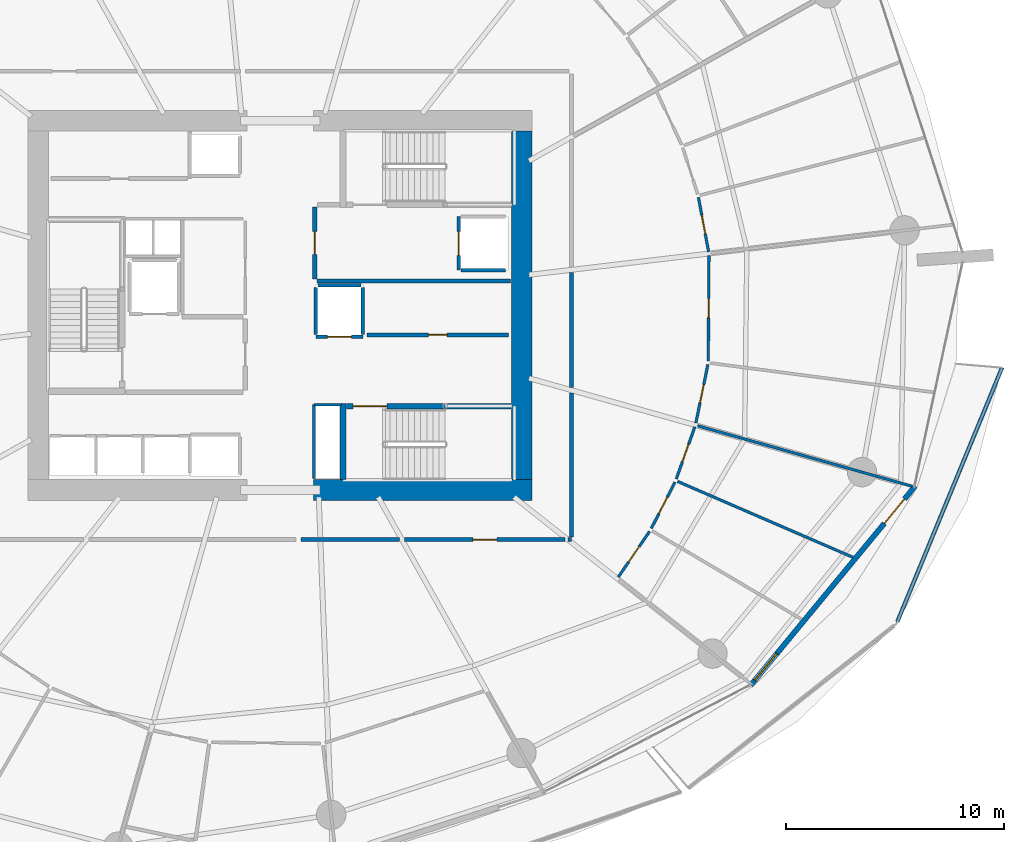
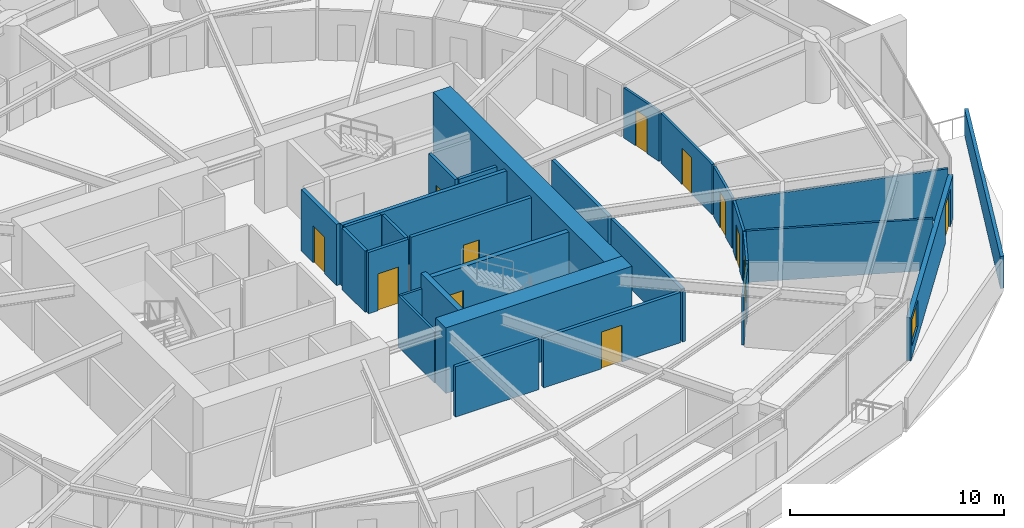
# One storey, part 21 of 31: 30 walls, 13 doors, 1 window, 14 openings.
"""IFC4 building model written with IfcOpenShell, lengths in metres."""

from ifc_helpers import new_model, si_unit, direction, frame, frame_2d, origin, place, context, subcontext, project, spatial, polyline, rectangle, outline, extrude, material, layer, layer_set, type_object, element, fill, save


model = new_model("IFC4")

# Units and contexts
model_context = context("Model", 3, precision=1e-05, world=origin(), true_north=direction((0.0, 1.0)))
body_context = subcontext(model_context, "Body", "Model", "MODEL_VIEW")
ifc_project = project(units=[si_unit("LENGTHUNIT", "METRE"), si_unit("AREAUNIT", "SQUARE_METRE"), si_unit("VOLUMEUNIT", "CUBIC_METRE"), si_unit("PLANEANGLEUNIT", "RADIAN"), si_unit("MASSUNIT", "GRAM", prefix="KILO")], contexts=[model_context])

# Site, building, storey
site_placement = place(None, origin())
site = spatial("IfcSite", under=ifc_project, at=site_placement, CompositionType="ELEMENT")
building_placement = place(site_placement, origin())
building = spatial("IfcBuilding", under=site, at=building_placement, Name="Kazma Halo Residences", CompositionType="ELEMENT")
storey_placement = place(building_placement, frame((0.0, 0.0, 33.89990234375)))
storey = spatial("IfcBuildingStorey", under=building, at=storey_placement, Name="L07", CompositionType="ELEMENT", Elevation=33.89990234375)

# Walls
ifc_material_1 = material(Name="White Concrete C50/60 Balustrade", Category="concrete")
ifc_layer_1 = layer(ifc_material_1, 0.179931640625)
ifc_layer_set_1 = layer_set([ifc_layer_1], Name="White Concrete C50/60 Balustrade")
wall_type_1 = type_object("IfcWallType", Name="WL-BAL-WAVE-180", PredefinedType="PARAPET", material=ifc_layer_set_1)
wall_1_placement = place(storey_placement, frame((76.76318359375, 27.478515625, 0.0), z_axis=(0.0, 0.0, 1.0), x_axis=(0.381082407016, 0.924541074838, 0.0)))
element("IfcWall", 1, at=wall_1_placement, inside=storey, type_object=wall_type_1, Name="L07 white wave balustrade wall SE.2", PredefinedType="PARAPET", context=body_context, shape_type="SweptSolid", body=[
    extrude(outline(polyline([(0.0, 0.0), (12.625244140625, 0.0), (12.625244140625, 1.4970703125), (6.3125, 1.696044921875), (0.0, 1.83203125), (0.0, 0.0)])), frame((0.0, 0.08984375, 0.0), z_axis=(0.0, -1.0, 0.0), x_axis=(1.0, 0.0, 0.0)), (0.0, 0.0, 1.0), 0.179931640625),
])
ifc_material_2 = material(Name="Concrete C80/95", Category="concrete")
ifc_layer_2 = layer(ifc_material_2, 0.949951171875)
ifc_layer_set_2 = layer_set([ifc_layer_2], Name="Concrete C80/95")
wall_type_2 = type_object("IfcWallType", Name="WL-CORE-950", PredefinedType="SHEAR", material=ifc_layer_set_2)
wall_2_placement = place(storey_placement, frame((49.949951171875, 33.52490234375, 0.0), z_axis=(0.0, 0.0, 1.0), x_axis=(1.0, 0.0, 0.0)))
element("IfcWall", 2, at=wall_2_placement, inside=storey, type_object=wall_type_2, Name="L07 central core shear wall SE", PredefinedType="SHEAR", context=body_context, shape_type="SweptSolid", body=[
    extrude(rectangle(XDim=10.050048828125, YDim=0.949951171875, at=frame_2d((5.02490234375, 0.0))), origin(), (0.0, 0.0, 1.0), 3.75),
])
wall_3_placement = place(storey_placement, frame((59.52490234375, 34.0, 0.0), z_axis=(0.0, 0.0, 1.0), x_axis=(0.0, 1.0, 0.0)))
element("IfcWall", 3, at=wall_3_placement, inside=storey, type_object=wall_type_2, Name="L07 central core shear wall E", PredefinedType="SHEAR", context=body_context, shape_type="SweptSolid", body=[
    extrude(rectangle(XDim=16.0, YDim=0.949951171875, at=frame_2d((8.0, 0.0))), origin(), (0.0, 0.0, 1.0), 3.75),
])
ifc_material_3 = material(Name="Concrete C60/75", Category="concrete")
ifc_layer_3 = layer(ifc_material_3, 0.280029296875)
ifc_layer_set_3 = layer_set([ifc_layer_3], Name="Concrete C60/75")
wall_type_3 = type_object("IfcWallType", Name="WL-CORE-ST-280", PredefinedType="SHEAR", material=ifc_layer_set_3)
wall_4_placement = place(storey_placement, frame((51.31005859375, 34.0, 0.0), z_axis=(0.0, 0.0, 1.0), x_axis=(0.0, 1.0, 0.0)))
element("IfcWall", 4, at=wall_4_placement, inside=storey, type_object=wall_type_3, Name="L07 stairwell bearing wall ST03-W", PredefinedType="SHEAR", context=body_context, shape_type="SweptSolid", body=[
    extrude(rectangle(XDim=3.5, YDim=0.280029296875, at=frame_2d((1.75, 0.0))), origin(), (0.0, 0.0, 1.0), 3.75),
])

# Wall, opening, door
ifc_material_4 = material(Name="Acoustic Twin-Stud Gypsum")
ifc_layer_4 = layer(ifc_material_4, 0.179931640625)
ifc_layer_set_4 = layer_set([ifc_layer_4], Name="Acoustic Twin-Stud Gypsum")
wall_type_4 = type_object("IfcWallType", Name="WL-DEM-180", PredefinedType="PARTITIONING", material=ifc_layer_set_4)
wall_5_placement = place(storey_placement, frame((54.140380859375, 31.25, 0.0), z_axis=(0.0, 0.0, 1.0), x_axis=(1.0, 0.0, 0.0)))
wall_5 = element("IfcWall", 5, at=wall_5_placement, inside=storey, type_object=wall_type_4, Name="L07 Apartment 2 entrance corridor wall", PredefinedType="PARTITIONING", context=body_context, shape_type="SweptSolid", body=[
    extrude(rectangle(XDim=7.3759765625, YDim=0.179931640625, at=frame_2d((3.68798828125, 0.0))), origin(), (0.0, 0.0, 1.0), 2.8671875),
])
opening_1_placement = place(wall_5_placement, frame((3.137939453125, 0.0, 0.0)))
opening_1 = element("IfcOpeningElement", 6, at=opening_1_placement, cuts=wall_5, Name="Opening DA-1100", PredefinedType="OPENING", context=body_context, shape_type="SweptSolid", body=[
    extrude(rectangle(XDim=1.10009765625, YDim=2.10009765625, at=frame_2d((0.550048828125, 1.050048828125))), frame((0.0, 0.099853515625, 0.0), z_axis=(0.0, -1.0, 0.0), x_axis=(1.0, 0.0, 0.0)), (0.0, 0.0, 1.0), 0.199951171875),
])
ifc_material_5 = material(Name="Acoustic Walnut Fire Leaf")
door_type_1 = type_object("IfcDoorType", Name="DR-FD60-1100", OperationType="NOTDEFINED", PredefinedType="DOOR", material=ifc_material_5)
door_1_placement = place(opening_1_placement, origin())
door_1 = element("IfcDoor", 7, at=door_1_placement, inside=storey, type_object=door_type_1, Name="L07 Apartment 2 entrance fire door", OperationType="SINGLE_SWING_RIGHT", OverallHeight=2.10009765625, OverallWidth=1.10009765625, PredefinedType="DOOR", context=body_context, shape_type="SweptSolid", body=[
    extrude(rectangle(XDim=1.10009765625, YDim=2.10009765625, at=frame_2d((0.550048828125, 1.050048828125))), frame((0.0, 0.02490234375, 0.0), z_axis=(0.0, -1.0, 0.0), x_axis=(1.0, 0.0, 0.0)), (0.0, 0.0, 1.0), 0.050048828125),
])
fill(opening_1, door_1)

# Walls
wall_6_placement = place(storey_placement, frame((49.392333984375, 31.25, 0.0), z_axis=(0.0, 0.0, 1.0), x_axis=(1.0, 0.0, 0.0)))
element("IfcWall", 8, at=wall_6_placement, inside=storey, type_object=wall_type_4, Name="L07 Apartment 2 inner wall 11", PredefinedType="PARTITIONING", context=body_context, shape_type="SweptSolid", body=[
    extrude(rectangle(XDim=4.508056640625, YDim=0.179931640625, at=frame_2d((2.25390625, 0.0))), origin(), (0.0, 0.0, 1.0), 2.8671875),
])
wall_7_placement = place(storey_placement, frame((61.63623046875, 31.25, 0.0), z_axis=(0.0, 0.0, 1.0), x_axis=(1.0, 0.0, 0.0)))
element("IfcWall", 9, at=wall_7_placement, inside=storey, type_object=wall_type_4, Name="L07 Apartment 2 inner wall 13", PredefinedType="PARTITIONING", context=body_context, shape_type="SweptSolid", body=[
    extrude(rectangle(XDim=0.163818359375, YDim=0.179931640625, at=frame_2d((0.08203125, 0.0))), origin(), (0.0, 0.0, 1.0), 2.8671875),
])
wall_8_placement = place(storey_placement, frame((61.800048828125, 31.3701171875, 0.0), z_axis=(0.0, 0.0, 1.0), x_axis=(0.0, 1.0, 0.0)))
element("IfcWall", 10, at=wall_8_placement, inside=storey, type_object=wall_type_4, Name="L07 Apartment 2 inner wall 13", PredefinedType="PARTITIONING", context=body_context, shape_type="SweptSolid", body=[
    extrude(rectangle(XDim=6.617919921875, YDim=0.179931640625, at=frame_2d((3.30908203125, 0.0))), origin(), (0.0, 0.0, 1.0), 2.8671875),
])
wall_9_placement = place(storey_placement, frame((61.800048828125, 38.22802734375, 0.0), z_axis=(0.0, 0.0, 1.0), x_axis=(0.0, 1.0, 0.0)))
element("IfcWall", 11, at=wall_9_placement, inside=storey, type_object=wall_type_4, Name="L07 Apartment 2 inner wall 14", PredefinedType="PARTITIONING", context=body_context, shape_type="SweptSolid", body=[
    extrude(rectangle(XDim=5.28515625, YDim=0.179931640625, at=frame_2d((2.642578125, 0.0))), origin(), (0.0, 0.0, 1.0), 2.8671875),
])

# Wall, openings, door, window
ifc_material_6 = material(Name="Insulated Pale-Metal Composite Wall")
ifc_layer_5 = layer(ifc_material_6, 0.239990234375)
ifc_layer_set_5 = layer_set([ifc_layer_5], Name="Insulated Pale-Metal Composite Wall")
wall_type_5 = type_object("IfcWallType", Name="WL-EXT-HOST-240", PredefinedType="SOLIDWALL", material=ifc_layer_set_5)
wall_10_placement = place(storey_placement, frame((70.033203125, 24.566650390625, 0.0), z_axis=(0.0, 0.0, 1.0), x_axis=(0.636674332663, 0.771132799281, 0.0)))
wall_10 = element("IfcWall", 12, at=wall_10_placement, inside=storey, type_object=wall_type_5, Name="L07 exterior terrace-access wall B14", PredefinedType="SOLIDWALL", context=body_context, shape_type="SweptSolid", body=[
    extrude(rectangle(XDim=11.851318359375, YDim=0.239990234375, at=frame_2d((5.92578125, 0.0))), origin(), (0.0, 0.0, 1.0), 2.4501953125),
])
opening_2_placement = place(wall_10_placement, frame((9.631103515625, 0.0, 0.0)))
opening_2 = element("IfcOpeningElement", 13, at=opening_2_placement, cuts=wall_10, Name="Opening DTR-1600", PredefinedType="OPENING", context=body_context, shape_type="SweptSolid", body=[
    extrude(rectangle(XDim=1.449951171875, YDim=2.14990234375, at=frame_2d((0.72509765625, 1.074951171875))), frame((0.0, 0.1298828125, 0.0), z_axis=(0.0, -1.0, 0.0), x_axis=(1.0, 0.0, 0.0)), (0.0, 0.0, 1.0), 0.260009765625),
])
opening_3_placement = place(wall_10_placement, frame((0.280029296875, 0.0, 0.64990234375)))
opening_3 = element("IfcOpeningElement", 14, at=opening_3_placement, cuts=wall_10, Name="Opening W-1800", PredefinedType="OPENING", context=body_context, shape_type="SweptSolid", body=[
    extrude(rectangle(XDim=1.60009765625, YDim=1.5, at=frame_2d((0.800048828125, 0.75))), frame((0.0, 0.1298828125, 0.0), z_axis=(0.0, -1.0, 0.0), x_axis=(1.0, 0.0, 0.0)), (0.0, 0.0, 1.0), 0.260009765625),
])
ifc_material_7 = material(Name="Aluminium AW-6063 T6 Double-Glazed Terrace Door", Category="aluminium")
door_type_2 = type_object("IfcDoorType", Name="DR-EXT-TERR-1600", OperationType="NOTDEFINED", PredefinedType="DOOR", material=ifc_material_7)
door_2_placement = place(opening_2_placement, origin())
door_2 = element("IfcDoor", 15, at=door_2_placement, inside=storey, type_object=door_type_2, Name="L07 B14 balcony terrace door", OperationType="DOUBLE_DOOR_SLIDING", OverallHeight=2.14990234375, OverallWidth=1.449951171875, PredefinedType="DOOR", context=body_context, shape_type="SweptSolid", body=[
    extrude(rectangle(XDim=1.449951171875, YDim=2.14990234375, at=frame_2d((0.72509765625, 1.074951171875))), frame((0.0, 0.02490234375, 0.0), z_axis=(0.0, -1.0, 0.0), x_axis=(1.0, 0.0, 0.0)), (0.0, 0.0, 1.0), 0.050048828125),
])
fill(opening_2, door_2)
ifc_material_8 = material(Name="Clear Triple-Silver Low-E Glass in Aluminium AW-6063 T6 Frame", Category="aluminium")
window_type = type_object("IfcWindowType", Name="WIN-RES-1800", PartitioningType="DOUBLE_PANEL_VERTICAL", PredefinedType="WINDOW", material=ifc_material_8)
window_placement = place(opening_3_placement, origin())
window = element("IfcWindow", 16, at=window_placement, inside=storey, type_object=window_type, Name="L07 B14 apartment window", OverallHeight=1.5, OverallWidth=1.60009765625, PartitioningType="SINGLE_PANEL", PredefinedType="WINDOW", context=body_context, shape_type="SweptSolid", body=[
    extrude(rectangle(XDim=1.60009765625, YDim=1.5, at=frame_2d((0.800048828125, 0.75))), frame((0.0, 0.030029296875, 0.0), z_axis=(0.0, -1.0, 0.0), x_axis=(1.0, 0.0, 0.0)), (0.0, 0.0, 1.0), 0.06005859375),
])
fill(opening_3, window)

# Wall, opening, door
ifc_material_9 = material(Name="Fire-Rated Blockwork Masonry", Category="masonry")
ifc_layer_6 = layer(ifc_material_9, 0.199951171875)
ifc_layer_set_6 = layer_set([ifc_layer_6], Name="Fire-Rated Blockwork Masonry")
wall_type_6 = type_object("IfcWallType", Name="WL-FLB-200", PredefinedType="PARTITIONING", material=ifc_layer_set_6)
wall_11_placement = place(storey_placement, frame((56.6201171875, 46.080078125, 0.0), z_axis=(0.0, 0.0, 1.0), x_axis=(0.0, -1.0, 0.0)))
wall_11 = element("IfcWall", 17, at=wall_11_placement, inside=storey, type_object=wall_type_6, Name="L07 lift shaft FL-02 front wall", PredefinedType="PARTITIONING", context=body_context, shape_type="SweptSolid", body=[
    extrude(rectangle(XDim=2.4599609375, YDim=0.159912109375, at=frame_2d((1.22998046875, 0.0))), origin(), (0.0, 0.0, 1.0), 3.5),
])
opening_4_placement = place(wall_11_placement, frame((0.679931640625, 0.0, 0.0)))
opening_4 = element("IfcOpeningElement", 18, at=opening_4_placement, cuts=wall_11, Name="Opening LD-FL-02", PredefinedType="OPENING", context=body_context, shape_type="SweptSolid", body=[
    extrude(rectangle(XDim=1.10009765625, YDim=2.10009765625, at=frame_2d((0.550048828125, 1.050048828125))), frame((0.0, 0.08984375, 0.0), z_axis=(0.0, -1.0, 0.0), x_axis=(1.0, 0.0, 0.0)), (0.0, 0.0, 1.0), 0.179931640625),
])
ifc_material_10 = material(Name="Stainless Steel Fire-Rated", Category="steel")
door_type_3 = type_object("IfcDoorType", Name="DR-LIFT-SLD-1100", OperationType="DOUBLE_DOOR_SLIDING", PredefinedType="DOOR", material=ifc_material_10)
door_3_placement = place(opening_4_placement, origin())
door_3 = element("IfcDoor", 19, at=door_3_placement, inside=storey, type_object=door_type_3, Name="L07 lift FL-02 sliding landing door", OperationType="DOUBLE_DOOR_SLIDING", OverallHeight=2.10009765625, OverallWidth=1.10009765625, PredefinedType="DOOR", context=body_context, shape_type="SweptSolid", body=[
    extrude(rectangle(XDim=1.10009765625, YDim=2.10009765625, at=frame_2d((0.550048828125, 1.050048828125))), frame((0.0, 0.02490234375, 0.0), z_axis=(0.0, -1.0, 0.0), x_axis=(1.0, 0.0, 0.0)), (0.0, 0.0, 1.0), 0.050048828125),
])
fill(opening_4, door_3)

# Wall
wall_12_placement = place(storey_placement, frame((56.719970703125, 43.6201171875, 0.0), z_axis=(0.0, 0.0, 1.0), x_axis=(1.0, 0.0, 0.0)))
element("IfcWall", 20, at=wall_12_placement, inside=storey, type_object=wall_type_6, Name="L07 lift shaft FL-02 side wall S", PredefinedType="PARTITIONING", context=body_context, shape_type="SweptSolid", body=[
    extrude(rectangle(XDim=2.06005859375, YDim=0.159912109375, at=frame_2d((1.030029296875, 0.0))), origin(), (0.0, 0.0, 1.0), 3.5),
])

# Wall, opening, door
wall_13_placement = place(storey_placement, frame((52.22998046875, 40.570068359375, 0.0), z_axis=(0.0, 0.0, 1.0), x_axis=(-1.0, 0.0, 0.0)))
wall_13 = element("IfcWall", 21, at=wall_13_placement, inside=storey, type_object=wall_type_6, Name="L07 lift shaft SV-01 front wall", PredefinedType="PARTITIONING", context=body_context, shape_type="SweptSolid", body=[
    extrude(rectangle(XDim=2.159912109375, YDim=0.159912109375, at=frame_2d((1.080078125, 0.0))), origin(), (0.0, 0.0, 1.0), 3.5),
])
opening_5_placement = place(wall_13_placement, frame((0.530029296875, 0.0, 0.0)))
opening_5 = element("IfcOpeningElement", 22, at=opening_5_placement, cuts=wall_13, Name="Opening LD-SV-01", PredefinedType="OPENING", context=body_context, shape_type="SweptSolid", body=[
    extrude(rectangle(XDim=1.10009765625, YDim=2.10009765625, at=frame_2d((0.550048828125, 1.050048828125))), frame((0.0, 0.08984375, 0.0), z_axis=(0.0, -1.0, 0.0), x_axis=(1.0, 0.0, 0.0)), (0.0, 0.0, 1.0), 0.179931640625),
])
door_4_placement = place(opening_5_placement, origin())
door_4 = element("IfcDoor", 23, at=door_4_placement, inside=storey, type_object=door_type_3, Name="L07 lift SV-01 sliding landing door", OperationType="DOUBLE_DOOR_SLIDING", OverallHeight=2.10009765625, OverallWidth=1.10009765625, PredefinedType="DOOR", context=body_context, shape_type="SweptSolid", body=[
    extrude(rectangle(XDim=1.10009765625, YDim=2.10009765625, at=frame_2d((0.550048828125, 1.050048828125))), frame((0.0, 0.02490234375, 0.0), z_axis=(0.0, -1.0, 0.0), x_axis=(1.0, 0.0, 0.0)), (0.0, 0.0, 1.0), 0.050048828125),
])
fill(opening_5, door_4)

# Walls
for number, where, z_axis, x_axis, name in (
    (24, (52.22998046875, 40.669921875, 0.0), (0.0, 0.0, 1.0), (0.0, 1.0, 0.0), "L07 lift shaft SV-01 side wall E"),
    (25, (50.070068359375, 40.669921875, 0.0), (0.0, 0.0, 1.0), (0.0, 1.0, 0.0), "L07 lift shaft SV-01 side wall W"),
):
    element("IfcWall", number, at=place(storey_placement, frame(where, z_axis=z_axis, x_axis=x_axis)), inside=storey, type_object=wall_type_6, Name=name, PredefinedType="PARTITIONING", context=body_context, shape_type="SweptSolid", body=[
        extrude(rectangle(XDim=2.16015625, YDim=0.159912109375, at=frame_2d((1.080078125, 0.0))), origin(), (0.0, 0.0, 1.0), 3.5),
    ])
wall_14_placement = place(storey_placement, frame((50.169921875, 42.929931640625, 0.0), z_axis=(0.0, 0.0, 1.0), x_axis=(1.0, 0.0, 0.0)))
element("IfcWall", 26, at=wall_14_placement, inside=storey, type_object=wall_type_6, Name="L07 lift shaft SV-01 side wall N", PredefinedType="PARTITIONING", context=body_context, shape_type="SweptSolid", body=[
    extrude(rectangle(XDim=1.9599609375, YDim=0.159912109375, at=frame_2d((0.97998046875, 0.0))), origin(), (0.0, 0.0, 1.0), 3.5),
])

# Wall, opening, door
wall_15_placement = place(storey_placement, frame((52.419921875, 40.64990234375, 0.0), z_axis=(0.0, 0.0, 1.0), x_axis=(1.0, 0.0, 0.0)))
wall_15 = element("IfcWall", 27, at=wall_15_placement, inside=storey, type_object=wall_type_6, Name="L07 core east reserve wall", PredefinedType="PARTITIONING", context=body_context, shape_type="SweptSolid", body=[
    extrude(rectangle(XDim=6.5, YDim=0.179931640625, at=frame_2d((3.25, 0.0))), origin(), (0.0, 0.0, 1.0), 3.5),
])
opening_6_placement = place(wall_15_placement, frame((2.824951171875, 0.0, 0.0)))
opening_6 = element("IfcOpeningElement", 28, at=opening_6_placement, cuts=wall_15, Name="Opening DS-850", PredefinedType="OPENING", context=body_context, shape_type="SweptSolid", body=[
    extrude(rectangle(XDim=0.85009765625, YDim=2.06005859375, at=frame_2d((0.425048828125, 1.030029296875))), frame((0.0, 0.099853515625, 0.0), z_axis=(0.0, -1.0, 0.0), x_axis=(1.0, 0.0, 0.0)), (0.0, 0.0, 1.0), 0.199951171875),
])
ifc_material_11 = material(Name="Painted Steel Access Leaf", Category="steel")
door_type_4 = type_object("IfcDoorType", Name="DR-SVC-850", OperationType="NOTDEFINED", PredefinedType="DOOR", material=ifc_material_11)
door_5_placement = place(opening_6_placement, origin())
door_5 = element("IfcDoor", 29, at=door_5_placement, inside=storey, type_object=door_type_4, Name="L07 core east reserve door", OperationType="SINGLE_SWING_RIGHT", OverallHeight=2.06005859375, OverallWidth=0.85009765625, PredefinedType="DOOR", context=body_context, shape_type="SweptSolid", body=[
    extrude(rectangle(XDim=0.85009765625, YDim=2.06005859375, at=frame_2d((0.425048828125, 1.030029296875))), frame((0.0, 0.02490234375, 0.0), z_axis=(0.0, -1.0, 0.0), x_axis=(1.0, 0.0, 0.0)), (0.0, 0.0, 1.0), 0.050048828125),
])
fill(opening_6, door_5)

# Wall
wall_16_placement = place(storey_placement, frame((50.1201171875, 43.1201171875, 0.0), z_axis=(0.0, 0.0, 1.0), x_axis=(1.0, 0.0, 0.0)))
element("IfcWall", 30, at=wall_16_placement, inside=storey, type_object=wall_type_6, Name="L07 east firefighting lobby south smoke wall", PredefinedType="PARTITIONING", context=body_context, shape_type="SweptSolid", body=[
    extrude(rectangle(XDim=8.8798828125, YDim=0.199951171875, at=frame_2d((4.43994140625, 0.0))), origin(), (0.0, 0.0, 1.0), 3.5),
])

# Wall, opening, door
wall_17_placement = place(storey_placement, frame((50.02001953125, 43.219970703125, 0.0), z_axis=(0.0, 0.0, 1.0), x_axis=(0.0, 1.0, 0.0)))
wall_17 = element("IfcWall", 31, at=wall_17_placement, inside=storey, type_object=wall_type_6, Name="L07 east firefighting lobby smoke wall", PredefinedType="PARTITIONING", context=body_context, shape_type="SweptSolid", body=[
    extrude(rectangle(XDim=3.300048828125, YDim=0.199951171875, at=frame_2d((1.64990234375, 0.0))), origin(), (0.0, 0.0, 1.0), 3.5),
])
opening_7_placement = place(wall_17_placement, frame((1.125, 0.0, 0.0)))
opening_7 = element("IfcOpeningElement", 32, at=opening_7_placement, cuts=wall_17, Name="Opening D-FLE", PredefinedType="OPENING", context=body_context, shape_type="SweptSolid", body=[
    extrude(rectangle(XDim=1.050048828125, YDim=2.10009765625, at=frame_2d((0.52490234375, 1.050048828125))), frame((0.0, 0.10986328125, 0.0), z_axis=(0.0, -1.0, 0.0), x_axis=(1.0, 0.0, 0.0)), (0.0, 0.0, 1.0), 0.219970703125),
])
ifc_material_12 = material(Name="Fire-Rated Steel Leaf", Category="steel")
door_type_5 = type_object("IfcDoorType", Name="DR-FD90-1050", OperationType="NOTDEFINED", PredefinedType="DOOR", material=ifc_material_12)
door_6_placement = place(opening_7_placement, origin())
door_6 = element("IfcDoor", 33, at=door_6_placement, inside=storey, type_object=door_type_5, Name="L07 east firefighting lobby smoke door", OperationType="SINGLE_SWING_LEFT", OverallHeight=2.10009765625, OverallWidth=1.050048828125, PredefinedType="DOOR", context=body_context, shape_type="SweptSolid", body=[
    extrude(rectangle(XDim=1.050048828125, YDim=2.10009765625, at=frame_2d((0.52490234375, 1.050048828125))), frame((0.0, 0.02490234375, 0.0), z_axis=(0.0, -1.0, 0.0), x_axis=(1.0, 0.0, 0.0)), (0.0, 0.0, 1.0), 0.050048828125),
])
fill(opening_7, door_6)

# Walls
ifc_material_13 = material(Name="Gypsum Plasterboard Partition")
ifc_layer_7 = layer(ifc_material_13, 0.125)
ifc_layer_set_7 = layer_set([ifc_layer_7], Name="Gypsum Plasterboard Partition")
wall_type_7 = type_object("IfcWallType", Name="WL-PART-125", PredefinedType="PARTITIONING", material=ifc_layer_set_7)
wall_18_placement = place(storey_placement, frame((49.97998046875, 34.06005859375, 0.0), z_axis=(0.0, 0.0, 1.0), x_axis=(0.0, 1.0, 0.0)))
element("IfcWall", 34, at=wall_18_placement, inside=storey, type_object=wall_type_7, Name="L07 standpipe riser wall", PredefinedType="PARTITIONING", context=body_context, shape_type="SweptSolid", body=[
    extrude(rectangle(XDim=3.39990234375, YDim=0.125, at=frame_2d((1.699951171875, 0.0))), origin(), (0.0, 0.0, 1.0), 2.940185546875),
])
wall_19_placement = place(storey_placement, frame((49.97998046875, 37.43994140625, 0.0), z_axis=(0.0, 0.0, 1.0), x_axis=(1.0, 0.0, 0.0)))
element("IfcWall", 35, at=wall_19_placement, inside=storey, type_object=wall_type_7, Name="L07 standpipe riser north wall", PredefinedType="PARTITIONING", context=body_context, shape_type="SweptSolid", body=[
    extrude(rectangle(XDim=1.260009765625, YDim=0.125, at=frame_2d((0.6298828125, 0.0))), origin(), (0.0, 0.0, 1.0), 2.940185546875),
])
wall_20_placement = place(storey_placement, frame((66.669921875, 33.9208984375, 0.0), z_axis=(0.0, 0.0, 1.0), x_axis=(0.917747697885, -0.397163899451, 0.0)))
element("IfcWall", 36, at=wall_20_placement, inside=storey, type_object=wall_type_7, Name="L07 Apartment 2 bay wall 2 13", PredefinedType="PARTITIONING", context=body_context, shape_type="SweptSolid", body=[
    extrude(rectangle(XDim=8.77490234375, YDim=0.125, at=frame_2d((4.387451171875, 0.0))), origin(), (0.0, 0.0, 1.0), 2.940185546875),
])

# Wall, opening, door
wall_21_placement = place(storey_placement, frame((63.9501953125, 29.527587890625, 0.0), z_axis=(0.0, 0.0, 1.0), x_axis=(0.565358509176, 0.824845292223, 0.0)))
wall_21 = element("IfcWall", 37, at=wall_21_placement, inside=storey, type_object=wall_type_7, Name="L07 Apartment 2 Corner Bedroom hall wall", PredefinedType="PARTITIONING", context=body_context, shape_type="SweptSolid", body=[
    extrude(rectangle(XDim=2.542236328125, YDim=0.125, at=frame_2d((1.27099609375, 0.0))), origin(), (0.0, 0.0, 1.0), 2.8671875),
])
opening_8_placement = place(wall_21_placement, frame((0.84619140625, 0.0, 0.0)))
opening_8 = element("IfcOpeningElement", 38, at=opening_8_placement, cuts=wall_21, Name="Opening DB-900", PredefinedType="OPENING", context=body_context, shape_type="SweptSolid", body=[
    extrude(rectangle(XDim=0.85009765625, YDim=2.06005859375, at=frame_2d((0.425048828125, 1.030029296875))), frame((0.0, 0.072509765625, 0.0), z_axis=(0.0, -1.0, 0.0), x_axis=(1.0, 0.0, 0.0)), (0.0, 0.0, 1.0), 0.14501953125),
])
ifc_material_14 = material(Name="Moisture-Sealed Timber Leaf", Category="wood")
door_type_6 = type_object("IfcDoorType", Name="DR-BTH-900", OperationType="NOTDEFINED", PredefinedType="DOOR", material=ifc_material_14)
door_7_placement = place(opening_8_placement, origin())
door_7 = element("IfcDoor", 39, at=door_7_placement, inside=storey, type_object=door_type_6, Name="L07 Apartment 2 Corner Bedroom door", OperationType="SINGLE_SWING_RIGHT", OverallHeight=2.06005859375, OverallWidth=0.85009765625, PredefinedType="DOOR", context=body_context, shape_type="SweptSolid", body=[
    extrude(rectangle(XDim=0.85009765625, YDim=2.06005859375, at=frame_2d((0.425048828125, 1.030029296875))), frame((0.0, 0.02490234375, 0.0), z_axis=(0.0, -1.0, 0.0), x_axis=(1.0, 0.0, 0.0)), (0.0, 0.0, 1.0), 0.050048828125),
])
fill(opening_8, door_7)

wall_22_placement = place(storey_placement, frame((65.468994140625, 31.76171875, 0.0), z_axis=(0.0, 0.0, 1.0), x_axis=(0.45400250644, 0.891000406367, 0.0)))
wall_22 = element("IfcWall", 40, at=wall_22_placement, inside=storey, type_object=wall_type_7, Name="L07 Apartment 2 Garden Dressing Wardrobe hall wall", PredefinedType="PARTITIONING", context=body_context, shape_type="SweptSolid", body=[
    extrude(rectangle(XDim=2.38330078125, YDim=0.125, at=frame_2d((1.191650390625, 0.0))), origin(), (0.0, 0.0, 1.0), 2.940185546875),
])
opening_9_placement = place(wall_22_placement, frame((0.7666015625, 0.0, 0.0)))
opening_9 = element("IfcOpeningElement", 41, at=opening_9_placement, cuts=wall_22, Name="Opening DB-900", PredefinedType="OPENING", context=body_context, shape_type="SweptSolid", body=[
    extrude(rectangle(XDim=0.85009765625, YDim=2.06005859375, at=frame_2d((0.425048828125, 1.030029296875))), frame((0.0, 0.072509765625, 0.0), z_axis=(0.0, -1.0, 0.0), x_axis=(1.0, 0.0, 0.0)), (0.0, 0.0, 1.0), 0.14501953125),
])
door_8_placement = place(opening_9_placement, origin())
door_8 = element("IfcDoor", 42, at=door_8_placement, inside=storey, type_object=door_type_6, Name="L07 Apartment 2 Garden Dressing Wardrobe door", OperationType="SINGLE_SWING_LEFT", OverallHeight=2.06005859375, OverallWidth=0.85009765625, PredefinedType="DOOR", context=body_context, shape_type="SweptSolid", body=[
    extrude(rectangle(XDim=0.85009765625, YDim=2.06005859375, at=frame_2d((0.425048828125, 1.030029296875))), frame((0.0, 0.02490234375, 0.0), z_axis=(0.0, -1.0, 0.0), x_axis=(1.0, 0.0, 0.0)), (0.0, 0.0, 1.0), 0.050048828125),
])
fill(opening_9, door_8)

wall_23_placement = place(storey_placement, frame((66.614013671875, 34.031982421875, 0.0), z_axis=(0.0, 0.0, 1.0), x_axis=(0.335094930465, 0.942184370268, 0.0)))
wall_23 = element("IfcWall", 43, at=wall_23_placement, inside=storey, type_object=wall_type_7, Name="L07 Apartment 2 Sky Bedroom hall wall", PredefinedType="PARTITIONING", context=body_context, shape_type="SweptSolid", body=[
    extrude(rectangle(XDim=2.5419921875, YDim=0.125, at=frame_2d((1.27099609375, 0.0))), origin(), (0.0, 0.0, 1.0), 2.8671875),
])
opening_10_placement = place(wall_23_placement, frame((0.845947265625, 0.0, 0.0)))
opening_10 = element("IfcOpeningElement", 44, at=opening_10_placement, cuts=wall_23, Name="Opening DB-900", PredefinedType="OPENING", context=body_context, shape_type="SweptSolid", body=[
    extrude(rectangle(XDim=0.85009765625, YDim=2.06005859375, at=frame_2d((0.425048828125, 1.030029296875))), frame((0.0, 0.072509765625, 0.0), z_axis=(0.0, -1.0, 0.0), x_axis=(1.0, 0.0, 0.0)), (0.0, 0.0, 1.0), 0.14501953125),
])
door_9_placement = place(opening_10_placement, origin())
door_9 = element("IfcDoor", 45, at=door_9_placement, inside=storey, type_object=door_type_6, Name="L07 Apartment 2 Sky Bedroom door", OperationType="SINGLE_SWING_RIGHT", OverallHeight=2.06005859375, OverallWidth=0.85009765625, PredefinedType="DOOR", context=body_context, shape_type="SweptSolid", body=[
    extrude(rectangle(XDim=0.85009765625, YDim=2.06005859375, at=frame_2d((0.425048828125, 1.030029296875))), frame((0.0, 0.02490234375, 0.0), z_axis=(0.0, -1.0, 0.0), x_axis=(1.0, 0.0, 0.0)), (0.0, 0.0, 1.0), 0.050048828125),
])
fill(opening_10, door_9)

# Wall
wall_24_placement = place(storey_placement, frame((67.5888671875, 36.475341796875, 0.0), z_axis=(0.0, 0.0, 1.0), x_axis=(0.962457516126, -0.271432366627, 0.0)))
element("IfcWall", 46, at=wall_24_placement, inside=storey, type_object=wall_type_7, Name="L07 Apartment 2 radial partition 14", PredefinedType="PARTITIONING", context=body_context, shape_type="SweptSolid", body=[
    extrude(rectangle(XDim=10.221435546875, YDim=0.125, at=frame_2d((5.11083984375, 0.0))), origin(), (0.0, 0.0, 1.0), 2.8671875),
])

# Wall, opening, door
wall_25_placement = place(storey_placement, frame((67.5126953125, 36.6005859375, 0.0), z_axis=(0.0, 0.0, 1.0), x_axis=(0.201246233374, 0.979540684991, 0.0)))
wall_25 = element("IfcWall", 47, at=wall_25_placement, inside=storey, type_object=wall_type_7, Name="L07 Apartment 2 Gulf Wine Pantry Store hall wall", PredefinedType="PARTITIONING", context=body_context, shape_type="SweptSolid", body=[
    extrude(rectangle(XDim=2.744140625, YDim=0.125, at=frame_2d((1.3720703125, 0.0))), origin(), (0.0, 0.0, 1.0), 2.8671875),
])
opening_11_placement = place(wall_25_placement, frame((0.947021484375, 0.0, 0.0)))
opening_11 = element("IfcOpeningElement", 48, at=opening_11_placement, cuts=wall_25, Name="Opening DB-900", PredefinedType="OPENING", context=body_context, shape_type="SweptSolid", body=[
    extrude(rectangle(XDim=0.85009765625, YDim=2.06005859375, at=frame_2d((0.425048828125, 1.030029296875))), frame((0.0, 0.072509765625, 0.0), z_axis=(0.0, -1.0, 0.0), x_axis=(1.0, 0.0, 0.0)), (0.0, 0.0, 1.0), 0.14501953125),
])
door_10_placement = place(opening_11_placement, origin())
door_10 = element("IfcDoor", 49, at=door_10_placement, inside=storey, type_object=door_type_6, Name="L07 Apartment 2 Gulf Wine Pantry Store door", OperationType="SINGLE_SWING_RIGHT", OverallHeight=2.06005859375, OverallWidth=0.85009765625, PredefinedType="DOOR", context=body_context, shape_type="SweptSolid", body=[
    extrude(rectangle(XDim=0.85009765625, YDim=2.06005859375, at=frame_2d((0.425048828125, 1.030029296875))), frame((0.0, 0.02490234375, 0.0), z_axis=(0.0, -1.0, 0.0), x_axis=(1.0, 0.0, 0.0)), (0.0, 0.0, 1.0), 0.050048828125),
])
fill(opening_11, door_10)

wall_26_placement = place(storey_placement, frame((68.08154296875, 39.447021484375, 0.0), z_axis=(0.0, 0.0, 1.0), x_axis=(0.006313643226, 0.999980068756, 0.0)))
wall_26 = element("IfcWall", 50, at=wall_26_placement, inside=storey, type_object=wall_type_7, Name="L07 Apartment 2 Primary Formal Dining Room hall wall", PredefinedType="PARTITIONING", context=body_context, shape_type="SweptSolid", body=[
    extrude(rectangle(XDim=4.83349609375, YDim=0.125, at=frame_2d((2.416748046875, 0.0))), origin(), (0.0, 0.0, 1.0), 2.8671875),
])
opening_12_placement = place(wall_26_placement, frame((1.966796875, 0.0, 0.0)))
opening_12 = element("IfcOpeningElement", 51, at=opening_12_placement, cuts=wall_26, Name="Opening DI-950", PredefinedType="OPENING", context=body_context, shape_type="SweptSolid", body=[
    extrude(rectangle(XDim=0.89990234375, YDim=2.080078125, at=frame_2d((0.449951171875, 1.0400390625))), frame((0.0, 0.072509765625, 0.0), z_axis=(0.0, -1.0, 0.0), x_axis=(1.0, 0.0, 0.0)), (0.0, 0.0, 1.0), 0.14501953125),
])
ifc_material_15 = material(Name="Timber Veneer Flush Leaf", Category="wood")
door_type_7 = type_object("IfcDoorType", Name="DR-INT-950", OperationType="NOTDEFINED", PredefinedType="DOOR", material=ifc_material_15)
door_11_placement = place(opening_12_placement, origin())
door_11 = element("IfcDoor", 52, at=door_11_placement, inside=storey, type_object=door_type_7, Name="L07 Apartment 2 Primary Formal Dining Room door", OperationType="SINGLE_SWING_LEFT", OverallHeight=2.080078125, OverallWidth=0.89990234375, PredefinedType="DOOR", context=body_context, shape_type="SweptSolid", body=[
    extrude(rectangle(XDim=0.89990234375, YDim=2.080078125, at=frame_2d((0.449951171875, 1.0400390625))), frame((0.0, 0.02490234375, 0.0), z_axis=(0.0, -1.0, 0.0), x_axis=(1.0, 0.0, 0.0)), (0.0, 0.0, 1.0), 0.050048828125),
])
fill(opening_12, door_11)

wall_27_placement = place(storey_placement, frame((68.097900390625, 44.458984375, 0.0), z_axis=(0.0, 0.0, 1.0), x_axis=(-0.183523097457, 0.983015397997, 0.0)))
wall_27 = element("IfcWall", 53, at=wall_27_placement, inside=storey, type_object=wall_type_7, Name="L07 Apartment 2 Secondary Master Bedroom hall wall", PredefinedType="PARTITIONING", context=body_context, shape_type="SweptSolid", body=[
    extrude(rectangle(XDim=2.542236328125, YDim=0.125, at=frame_2d((1.27099609375, 0.0))), origin(), (0.0, 0.0, 1.0), 2.8671875),
])
opening_13_placement = place(wall_27_placement, frame((0.84619140625, 0.0, 0.0)))
opening_13 = element("IfcOpeningElement", 54, at=opening_13_placement, cuts=wall_27, Name="Opening DB-900", PredefinedType="OPENING", context=body_context, shape_type="SweptSolid", body=[
    extrude(rectangle(XDim=0.85009765625, YDim=2.06005859375, at=frame_2d((0.425048828125, 1.030029296875))), frame((0.0, 0.072509765625, 0.0), z_axis=(0.0, -1.0, 0.0), x_axis=(1.0, 0.0, 0.0)), (0.0, 0.0, 1.0), 0.14501953125),
])
door_12_placement = place(opening_13_placement, origin())
door_12 = element("IfcDoor", 55, at=door_12_placement, inside=storey, type_object=door_type_6, Name="L07 Apartment 2 Secondary Master Bedroom door", OperationType="SINGLE_SWING_RIGHT", OverallHeight=2.06005859375, OverallWidth=0.85009765625, PredefinedType="DOOR", context=body_context, shape_type="SweptSolid", body=[
    extrude(rectangle(XDim=0.85009765625, YDim=2.06005859375, at=frame_2d((0.425048828125, 1.030029296875))), frame((0.0, 0.02490234375, 0.0), z_axis=(0.0, -1.0, 0.0), x_axis=(1.0, 0.0, 0.0)), (0.0, 0.0, 1.0), 0.050048828125),
])
fill(opening_13, door_12)

ifc_material_16 = material(Name="Concrete C50/60", Category="concrete")
ifc_layer_8 = layer(ifc_material_16, 0.25)
ifc_layer_set_8 = layer_set([ifc_layer_8], Name="Concrete C50/60")
wall_type_8 = type_object("IfcWallType", Name="WL-SHF-250", PredefinedType="SOLIDWALL", material=ifc_layer_set_8)
wall_28_placement = place(storey_placement, frame((51.47998046875, 37.3798828125, 0.0), z_axis=(0.0, 0.0, 1.0), x_axis=(1.0, 0.0, 0.0)))
wall_28 = element("IfcWall", 56, at=wall_28_placement, inside=storey, type_object=wall_type_8, Name="L07 exit stair ST-03 enclosure wall", PredefinedType="SOLIDWALL", context=body_context, shape_type="SweptSolid", body=[
    extrude(rectangle(XDim=7.5400390625, YDim=0.25, at=frame_2d((3.77001953125, 0.0))), origin(), (0.0, 0.0, 1.0), 3.5),
])
opening_14_placement = place(wall_28_placement, frame((0.300048828125, 0.0, 0.0)))
opening_14 = element("IfcOpeningElement", 57, at=opening_14_placement, cuts=wall_28, Name="Opening D-ST3", PredefinedType="OPENING", context=body_context, shape_type="SweptSolid", body=[
    extrude(rectangle(XDim=1.550048828125, YDim=2.14990234375, at=frame_2d((0.77490234375, 1.074951171875))), frame((0.0, 0.135009765625, 0.0), z_axis=(0.0, -1.0, 0.0), x_axis=(1.0, 0.0, 0.0)), (0.0, 0.0, 1.0), 0.27001953125),
])
ifc_material_17 = material(Name="Fire-Rated Double Steel Leaf", Category="steel")
door_type_8 = type_object("IfcDoorType", Name="DR-FD90-1550", OperationType="NOTDEFINED", PredefinedType="DOOR", material=ifc_material_17)
door_13_placement = place(opening_14_placement, origin())
door_13 = element("IfcDoor", 58, at=door_13_placement, inside=storey, type_object=door_type_8, Name="L07 exit stair ST-03 fire door", OperationType="DOUBLE_DOOR_SINGLE_SWING", OverallHeight=2.14990234375, OverallWidth=1.550048828125, PredefinedType="DOOR", context=body_context, shape_type="SweptSolid", body=[
    extrude(rectangle(XDim=1.550048828125, YDim=2.14990234375, at=frame_2d((0.77490234375, 1.074951171875))), frame((0.0, 0.02490234375, 0.0), z_axis=(0.0, -1.0, 0.0), x_axis=(1.0, 0.0, 0.0)), (0.0, 0.0, 1.0), 0.050048828125),
])
fill(opening_14, door_13)

save(model, "model.ifc")
